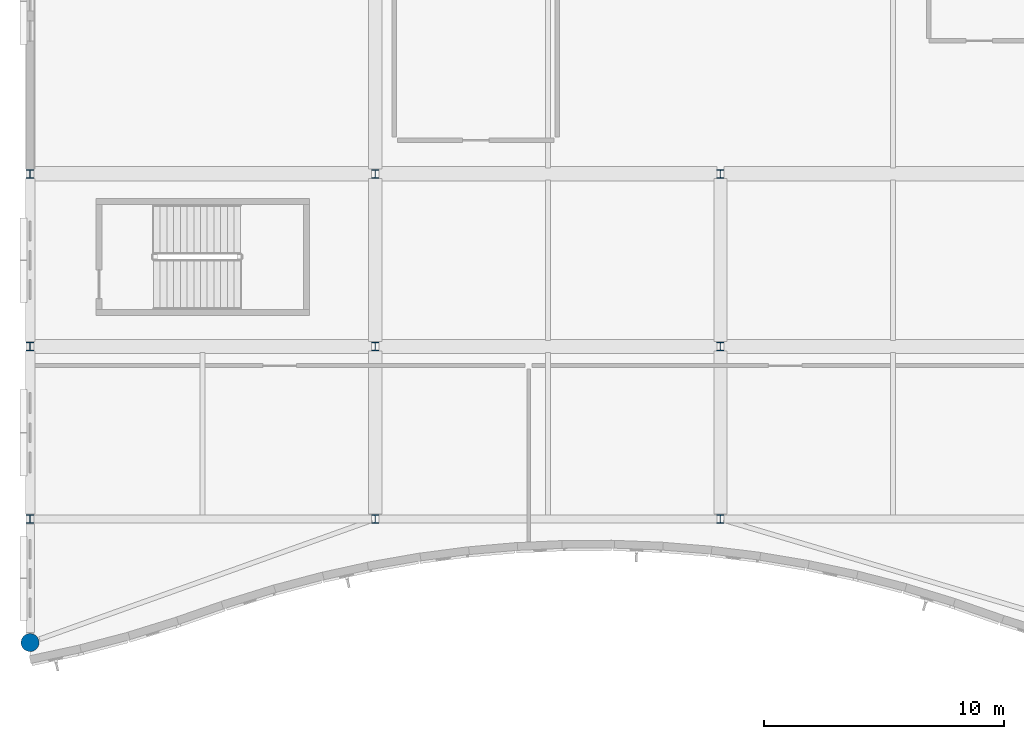
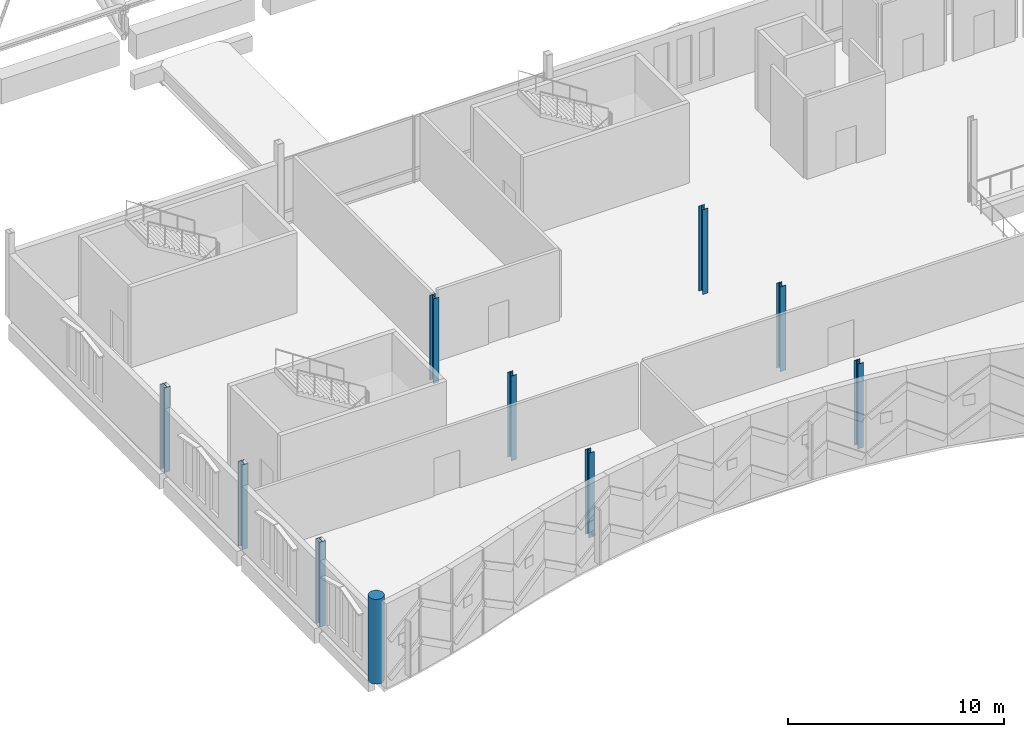
# One storey, part 1 of 193: 10 columns.
"""IFC4 building model written with IfcOpenShell, lengths in metres."""

from ifc_helpers import new_model, si_unit, direction, frame, origin, origin_2d, place, context, subcontext, project, spatial, circle, i_section, extrude, material, material_profile, profile_set, type_object, element, save


model = new_model("IFC4")

# Units and contexts
model_context = context("Model", 3, precision=1e-05, world=origin(), true_north=direction((0.0, 1.0)))
body_context = subcontext(model_context, "Body", "Model", "MODEL_VIEW")
ifc_project = project(units=[si_unit("LENGTHUNIT", "METRE"), si_unit("AREAUNIT", "SQUARE_METRE"), si_unit("VOLUMEUNIT", "CUBIC_METRE"), si_unit("PLANEANGLEUNIT", "RADIAN"), si_unit("MASSUNIT", "GRAM", prefix="KILO")], contexts=[model_context])

# Site, building, storey
site_placement = place(None, origin())
site = spatial("IfcSite", under=ifc_project, at=site_placement, CompositionType="ELEMENT")
building_placement = place(site_placement, origin())
building = spatial("IfcBuilding", under=site, at=building_placement, Name="Cendralis Lancet Convention Centre", CompositionType="ELEMENT")
storey_placement = place(building_placement, frame((0.0, 0.0, 10.199951171875)))
storey = spatial("IfcBuildingStorey", under=building, at=storey_placement, Name="L02", CompositionType="ELEMENT", Elevation=10.199951171875)

# Columns
ifc_material_1 = material(Name="Concrete G40 (C40/50)", Category="concrete")
ifc_material_profile_1 = material_profile(ifc_material_1, circle(Radius=0.375, at=origin_2d()), Name="RC D750")
ifc_profile_set_1 = profile_set([ifc_material_profile_1], Name="Concrete G40 (C40/50)")
column_type_1 = type_object("IfcColumnType", Name="STR-COL-C18", PredefinedType="COLUMN", material=ifc_profile_set_1)
column_placement = place(storey_placement, frame((0.0, 2.04541015625, 0.0), z_axis=(0.0, 0.0, 1.0), x_axis=(1.0, 0.0, 0.0)))
element("IfcColumn", 1, at=column_placement, inside=storey, type_object=column_type_1, Name="L02 Column C18 at 0.0,2.0", PredefinedType="COLUMN", context=body_context, shape_type="SweptSolid", body=[
    extrude(circle(Radius=0.375, at=origin_2d()), origin(), (0.0, 0.0, 1.0), 4.800048828125),
])
ifc_material_2 = material(Name="Steel S355", Category="steel")
ifc_material_profile_2 = material_profile(ifc_material_2, i_section(OverallWidth=0.300048828125, OverallDepth=0.360107421875, WebThickness=0.012451171875, FlangeThickness=0.0224609375, FilletRadius=0.027099609375, at=origin_2d()), Name="HEB 360")
ifc_profile_set_2 = profile_set([ifc_material_profile_2], Name="Steel S355")
column_type_2 = type_object("IfcColumnType", Name="STR-COL-C26", PredefinedType="COLUMN", material=ifc_profile_set_2)
for number, where, z_axis, x_axis, name in (
    (2, (0.0, 7.199951171875, 0.0), (0.0, 0.0, 1.0), (1.0, 0.0, 0.0), "L02 Column C26 at 0.0,7.2"),
    (3, (0.0, 14.39990234375, 0.0), (0.0, 0.0, 1.0), (1.0, 0.0, 0.0), "L02 Column C26 at 0.0,14.4"),
    (4, (0.0, 21.60009765625, 0.0), (0.0, 0.0, 1.0), (1.0, 0.0, 0.0), "L02 Column C26 at 0.0,21.6"),
):
    element("IfcColumn", number, at=place(storey_placement, frame(where, z_axis=z_axis, x_axis=x_axis)), inside=storey, type_object=column_type_2, Name=name, PredefinedType="COLUMN", context=body_context, shape_type="SweptSolid", body=[
        extrude(i_section(OverallWidth=0.300048828125, OverallDepth=0.360107421875, WebThickness=0.012451171875, FlangeThickness=0.0224609375, FilletRadius=0.027099609375, at=origin_2d()), origin(), (0.0, 0.0, 1.0), 4.800048828125),
    ])
ifc_material_profile_3 = material_profile(ifc_material_2, i_section(OverallWidth=0.300048828125, OverallDepth=0.360107421875, WebThickness=0.012451171875, FlangeThickness=0.0224609375, FilletRadius=0.027099609375, at=origin_2d()), Name="HEB 360")
ifc_profile_set_3 = profile_set([ifc_material_profile_3], Name="Steel S355")
column_type_3 = type_object("IfcColumnType", Name="STR-COL-C26-INT", PredefinedType="COLUMN", material=ifc_profile_set_3)
for number, where, z_axis, x_axis, name in (
    (5, (14.39990234375, 7.199951171875, 0.0), (0.0, 0.0, 1.0), (1.0, 0.0, 0.0), "L02 Column C26 at 14.4,7.2"),
    (6, (14.39990234375, 14.39990234375, 0.0), (0.0, 0.0, 1.0), (1.0, 0.0, 0.0), "L02 Column C26 at 14.4,14.4"),
    (7, (14.39990234375, 21.60009765625, 0.0), (0.0, 0.0, 1.0), (1.0, 0.0, 0.0), "L02 Column C26 at 14.4,21.6"),
    (8, (28.800048828125, 7.199951171875, 0.0), (0.0, 0.0, 1.0), (1.0, 0.0, 0.0), "L02 Column C26 at 28.8,7.2"),
    (9, (28.800048828125, 14.39990234375, 0.0), (0.0, 0.0, 1.0), (1.0, 0.0, 0.0), "L02 Column C26 at 28.8,14.4"),
    (10, (28.800048828125, 21.60009765625, 0.0), (0.0, 0.0, 1.0), (1.0, 0.0, 0.0), "L02 Column C26 at 28.8,21.6"),
):
    element("IfcColumn", number, at=place(storey_placement, frame(where, z_axis=z_axis, x_axis=x_axis)), inside=storey, type_object=column_type_3, Name=name, PredefinedType="COLUMN", context=body_context, shape_type="SweptSolid", body=[
        extrude(i_section(OverallWidth=0.300048828125, OverallDepth=0.360107421875, WebThickness=0.012451171875, FlangeThickness=0.0224609375, FilletRadius=0.027099609375, at=origin_2d()), origin(), (0.0, 0.0, 1.0), 4.800048828125),
    ])

save(model, "model.ifc")
